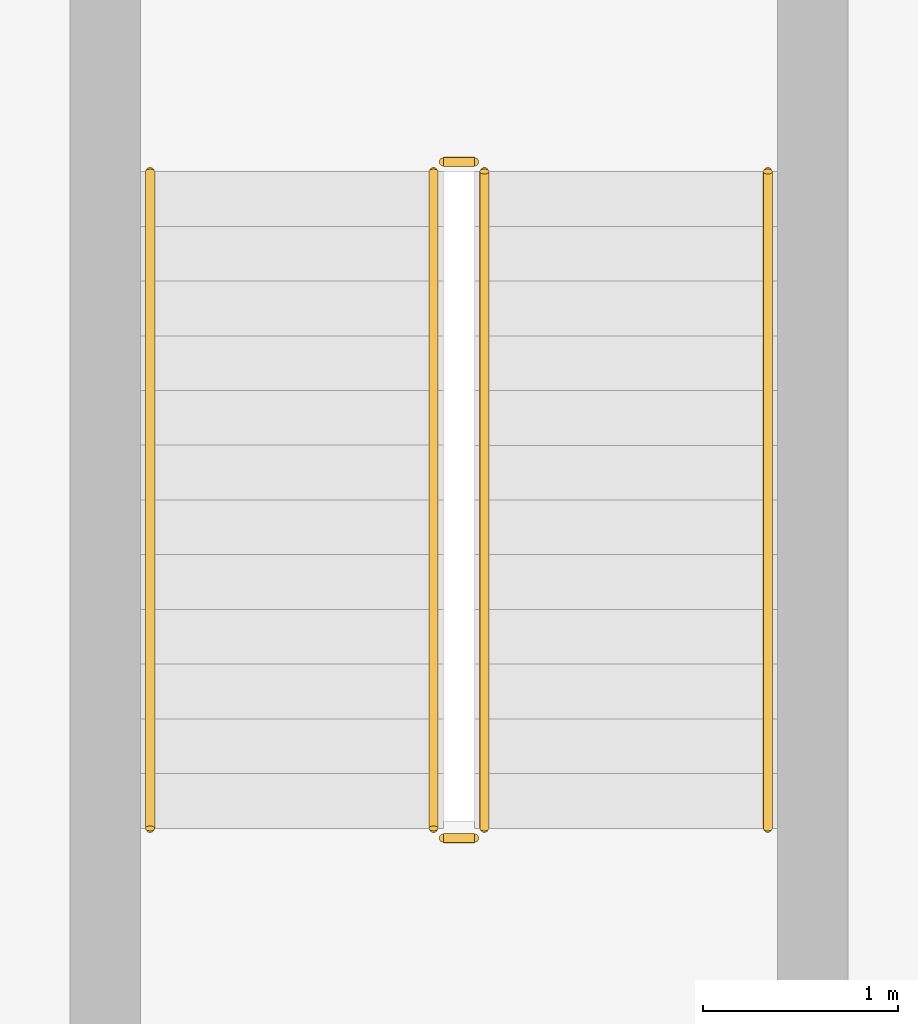
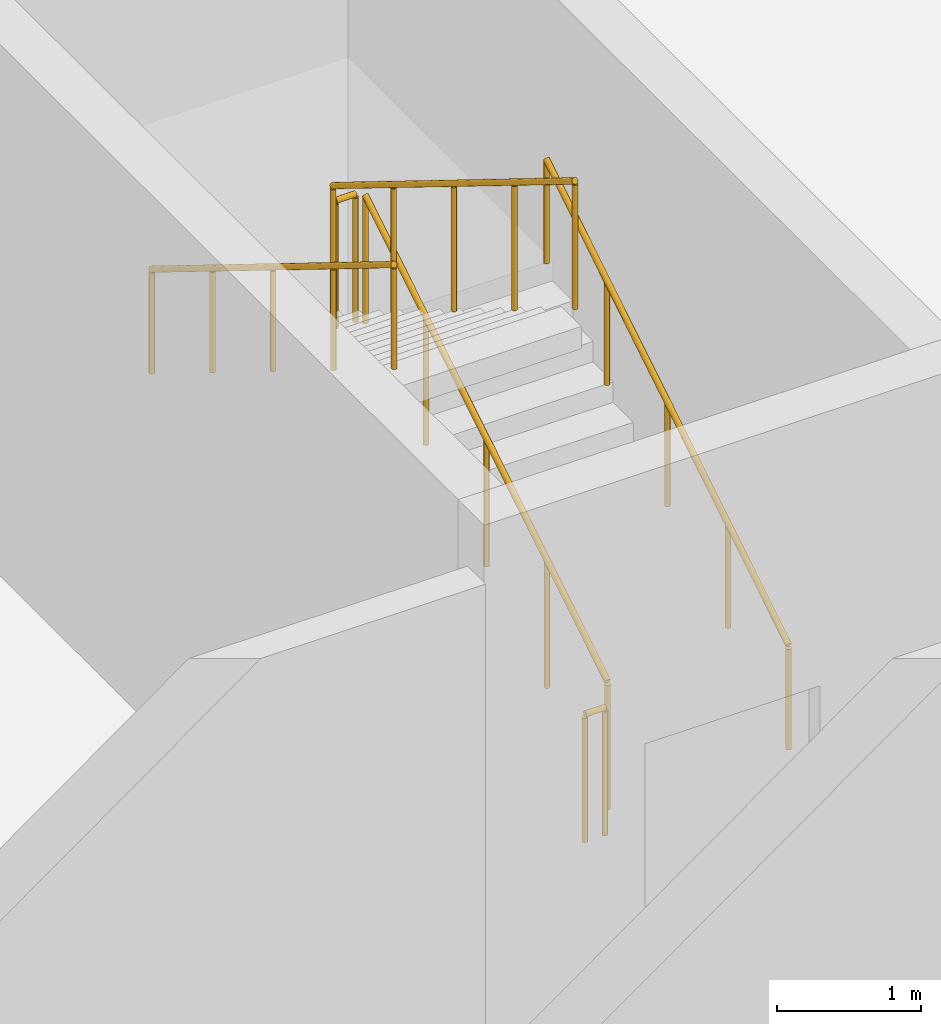
# One storey, part 7 of 9: 6 railings.
"""IFC4 building model written with IfcOpenShell, lengths in metres."""

from ifc_helpers import new_model, si_unit, direction, frame, origin, origin_2d, place, context, subcontext, project, spatial, circle, extrude, source, transform, mapped, material, type_object, element, save


model = new_model("IFC4")

# Units and contexts
model_context = context("Model", 3, precision=1e-05, world=origin(), true_north=direction((0.0, 1.0)))
body_context = subcontext(model_context, "Body", "Model", "MODEL_VIEW")
ifc_project = project(units=[si_unit("LENGTHUNIT", "METRE"), si_unit("AREAUNIT", "SQUARE_METRE"), si_unit("VOLUMEUNIT", "CUBIC_METRE"), si_unit("PLANEANGLEUNIT", "RADIAN"), si_unit("MASSUNIT", "GRAM", prefix="KILO"), si_unit("THERMODYNAMICTEMPERATUREUNIT", "KELVIN")], contexts=[model_context])

# Site, building, storey
site_placement = place(None, origin())
site = spatial("IfcSite", under=ifc_project, at=site_placement, CompositionType="ELEMENT")
building_placement = place(site_placement, origin())
building = spatial("IfcBuilding", under=site, at=building_placement, Name="Kosmvard Interchange Tower", CompositionType="ELEMENT")
storey_placement = place(building_placement, frame((0.0, 0.0, -4.5)))
storey = spatial("IfcBuildingStorey", under=building, at=storey_placement, Name="B01", CompositionType="ELEMENT", Elevation=-4.5)

# Railings
ifc_material = material(Name="Steel S355", Category="steel")
railing_type_1 = type_object("IfcRailingType", Name="Stair & Terrace Safety Guardrail 1100 Steel", PredefinedType="GUARDRAIL", material=ifc_material)
shared_shape_1 = source(origin(), body_context, "Body", "SweptSolid", [
    extrude(circle(Radius=0.02392578125, at=origin_2d()), frame((0.0, 0.0, 1.076171875), z_axis=(0.0, 0.850623216509, 0.525775754039), x_axis=(-1.0, 0.0, 0.0)), (0.0, 0.0, 1.0), 3.9501953125),
    extrude(circle(Radius=0.02099609375, at=origin_2d()), origin(), (0.0, 0.0, 1.0), 1.052001953125),
    extrude(circle(Radius=0.02099609375, at=origin_2d()), frame((0.0, 0.840087890625, 0.519287109375)), (0.0, 0.0, 1.0), 1.052001953125),
    extrude(circle(Radius=0.02099609375, at=origin_2d()), frame((0.0, 1.68017578125, 1.03857421875)), (0.0, 0.0, 1.0), 1.052001953125),
    extrude(circle(Radius=0.02099609375, at=origin_2d()), frame((0.0, 2.52001953125, 1.5576171875)), (0.0, 0.0, 1.0), 1.052001953125),
    extrude(circle(Radius=0.02099609375, at=origin_2d()), frame((0.0, 3.360107421875, 2.076904296875)), (0.0, 0.0, 1.0), 1.052001953125),
])
railing_1_placement = place(storey_placement, frame((21.080078125, -3.0, 0.173095703125)))
element("IfcRailing", 1, at=railing_1_placement, inside=storey, type_object=railing_type_1, Name="B01 ST-4 stair guard 1", PredefinedType="GUARDRAIL", context=body_context, shape_type="MappedRepresentation", body=[
    mapped(shared_shape_1, transform((0.0, 0.0, 0.0), scale=1.0)),
])
shared_shape_2 = source(origin(), body_context, "Body", "SweptSolid", [
    extrude(circle(Radius=0.02392578125, at=origin_2d()), frame((0.0, 0.0, 1.076171875), z_axis=(-1.0, 0.0, 0.0), x_axis=(0.0, -1.0, 0.0)), (0.0, 0.0, 1.0), 0.159912109375),
    extrude(circle(Radius=0.02099609375, at=origin_2d()), origin(), (0.0, 0.0, 1.0), 1.052001953125),
    extrude(circle(Radius=0.02099609375, at=origin_2d()), frame((-0.159912109375, 0.0, 0.0)), (0.0, 0.0, 1.0), 1.052001953125),
])
for number, where, name in (
    (2, (21.030029296875, 0.409912109375, 2.25), "B01 ST-4 stair guard 2"),
    (3, (21.030029296875, -3.050048828125, 0.0), "B01 ST-4 stair guard 4"),
):
    element("IfcRailing", number, at=place(storey_placement, frame(where)), inside=storey, type_object=railing_type_1, Name=name, PredefinedType="GUARDRAIL", context=body_context, shape_type="MappedRepresentation", body=[
        mapped(shared_shape_2, transform((0.0, 0.0, 0.0), scale=1.0)),
    ])
shared_shape_3 = source(origin(), body_context, "Body", "SweptSolid", [
    extrude(circle(Radius=0.02392578125, at=origin_2d()), frame((0.0, 0.0, 1.076171875), z_axis=(0.0, -0.850623216509, 0.525775754039), x_axis=(1.0, 0.0, 0.0)), (0.0, 0.0, 1.0), 3.9501953125),
    extrude(circle(Radius=0.02099609375, at=origin_2d()), origin(), (0.0, 0.0, 1.0), 1.052001953125),
    extrude(circle(Radius=0.02099609375, at=origin_2d()), frame((0.0, -0.840087890625, 0.519287109375)), (0.0, 0.0, 1.0), 1.052001953125),
    extrude(circle(Radius=0.02099609375, at=origin_2d()), frame((0.0, -1.68017578125, 1.03857421875)), (0.0, 0.0, 1.0), 1.052001953125),
    extrude(circle(Radius=0.02099609375, at=origin_2d()), frame((0.0, -2.52001953125, 1.5576171875)), (0.0, 0.0, 1.0), 1.052001953125),
    extrude(circle(Radius=0.02099609375, at=origin_2d()), frame((0.0, -3.360107421875, 2.076904296875)), (0.0, 0.0, 1.0), 1.052001953125),
])
railing_2_placement = place(storey_placement, frame((20.820068359375, 0.360107421875, 2.423095703125)))
element("IfcRailing", 4, at=railing_2_placement, inside=storey, type_object=railing_type_1, Name="B01 ST-4 stair guard 3", PredefinedType="GUARDRAIL", context=body_context, shape_type="MappedRepresentation", body=[
    mapped(shared_shape_3, transform((0.0, 0.0, 0.0), scale=1.0)),
])
railing_type_2 = type_object("IfcRailingType", Name="Wall-Mounted Stair Handrail 900 Steel", PredefinedType="HANDRAIL", material=ifc_material)
shared_shape_4 = source(origin(), body_context, "Body", "SweptSolid", [
    extrude(circle(Radius=0.02392578125, at=origin_2d()), frame((0.0, 0.0, 0.8759765625), z_axis=(0.0, 0.850623216509, 0.525775754039), x_axis=(-1.0, 0.0, 0.0)), (0.0, 0.0, 1.0), 3.9501953125),
    extrude(circle(Radius=0.02099609375, at=origin_2d()), origin(), (0.0, 0.0, 1.0), 0.851806640625),
    extrude(circle(Radius=0.02099609375, at=origin_2d()), frame((0.0, 0.840087890625, 0.519287109375)), (0.0, 0.0, 1.0), 0.851806640625),
    extrude(circle(Radius=0.02099609375, at=origin_2d()), frame((0.0, 1.68017578125, 1.03857421875)), (0.0, 0.0, 1.0), 0.851806640625),
    extrude(circle(Radius=0.02099609375, at=origin_2d()), frame((0.0, 2.52001953125, 1.5576171875)), (0.0, 0.0, 1.0), 0.851806640625),
    extrude(circle(Radius=0.02099609375, at=origin_2d()), frame((0.0, 3.360107421875, 2.076904296875)), (0.0, 0.0, 1.0), 0.851806640625),
])
railing_3_placement = place(storey_placement, frame((22.530029296875, -3.0, 0.173095703125)))
element("IfcRailing", 5, at=railing_3_placement, inside=storey, type_object=railing_type_2, Name="B01 ST-4 stair handrail 1", PredefinedType="HANDRAIL", context=body_context, shape_type="MappedRepresentation", body=[
    mapped(shared_shape_4, transform((0.0, 0.0, 0.0), scale=1.0)),
])
shared_shape_5 = source(origin(), body_context, "Body", "SweptSolid", [
    extrude(circle(Radius=0.02392578125, at=origin_2d()), frame((0.0, 0.0, 0.8759765625), z_axis=(0.0, -0.850623216509, 0.525775754039), x_axis=(1.0, 0.0, 0.0)), (0.0, 0.0, 1.0), 3.9501953125),
    extrude(circle(Radius=0.02099609375, at=origin_2d()), origin(), (0.0, 0.0, 1.0), 0.851806640625),
    extrude(circle(Radius=0.02099609375, at=origin_2d()), frame((0.0, -0.840087890625, 0.519287109375)), (0.0, 0.0, 1.0), 0.851806640625),
    extrude(circle(Radius=0.02099609375, at=origin_2d()), frame((0.0, -1.68017578125, 1.03857421875)), (0.0, 0.0, 1.0), 0.851806640625),
    extrude(circle(Radius=0.02099609375, at=origin_2d()), frame((0.0, -2.52001953125, 1.5576171875)), (0.0, 0.0, 1.0), 0.851806640625),
    extrude(circle(Radius=0.02099609375, at=origin_2d()), frame((0.0, -3.360107421875, 2.076904296875)), (0.0, 0.0, 1.0), 0.851806640625),
])
railing_4_placement = place(storey_placement, frame((19.3701171875, 0.360107421875, 2.423095703125)))
element("IfcRailing", 6, at=railing_4_placement, inside=storey, type_object=railing_type_2, Name="B01 ST-4 stair handrail 2", PredefinedType="HANDRAIL", context=body_context, shape_type="MappedRepresentation", body=[
    mapped(shared_shape_5, transform((0.0, 0.0, 0.0), scale=1.0)),
])

save(model, "model.ifc")
